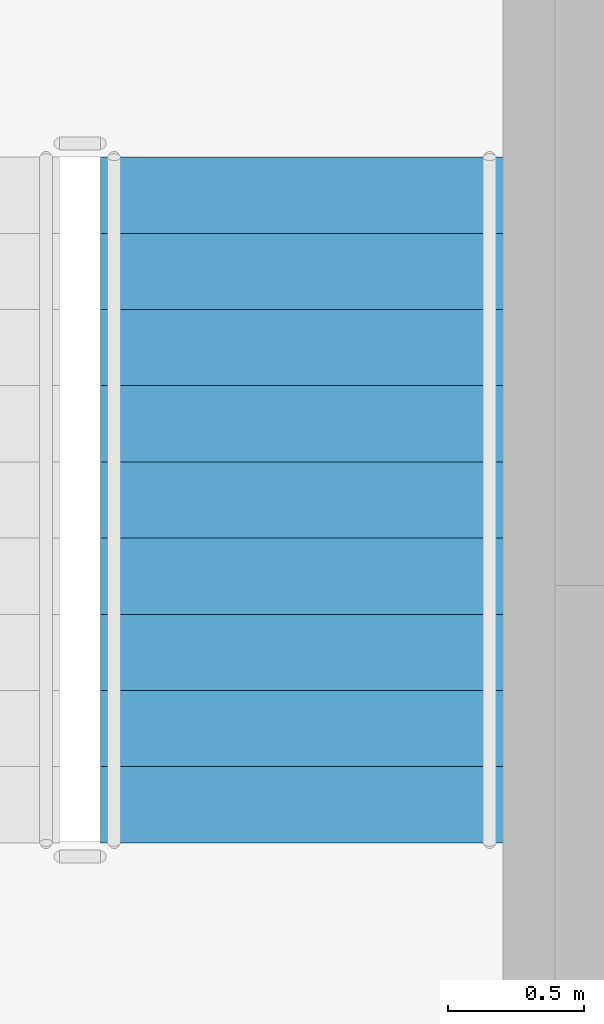
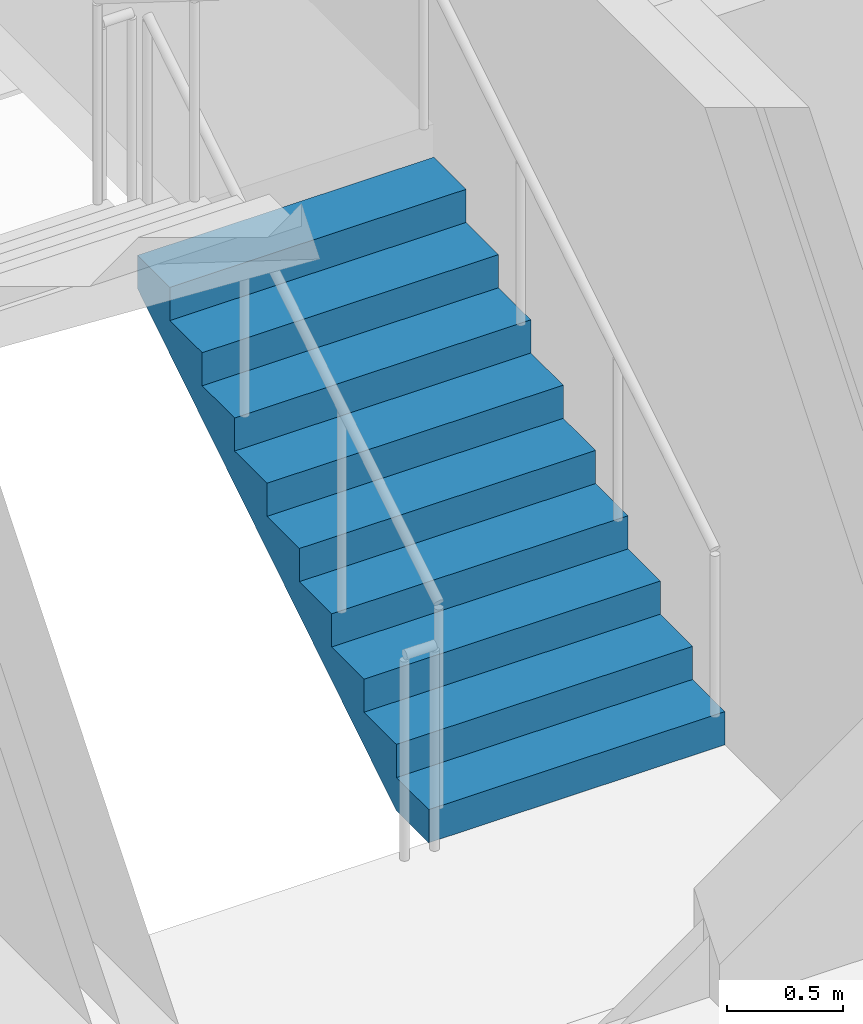
# One storey, part 19 of 21: 1 stair flight, 1 element without a shape of its own.
"""IFC4 building model written with IfcOpenShell, lengths in metres."""

import ifcopenshell
import ifcopenshell.guid

model = None  # the IFC model being written
_history = None  # IfcOwnerHistory: only IFC2X3 demands one
_inside = {}  # id of a spatial element -> (the spatial element, [elements in it])
_under = {}  # id of a project, library or spatial element -> (it, [spatial elements below it])
_declared = {}  # id of a project -> (the project, [libraries it declares])
_typed = {}  # id of a type object -> (the type object, [elements of that type])
_made_of = {}  # id of a material, layer set ... -> (it, [elements and type objects made of it])


def new_model(schema):
    """Start an empty IFC model of exactly this schema.

    Asked for "IFC4X3", IfcOpenShell would pick the latest addendum, in which some entities
    have other attributes; the version numbers below select the first issue.
    IFC2X3 requires an IfcOwnerHistory on every rooted entity: one is made here for all.
    """
    global model, _history
    if schema == "IFC4X3":
        model = ifcopenshell.file(schema_version=(4, 3, 0, 0))
    else:
        model = ifcopenshell.file(schema=schema)
    _inside.clear()
    _under.clear()
    _declared.clear()
    _typed.clear()
    _made_of.clear()
    _history = None
    if model.schema == "IFC2X3":
        org = make("IfcOrganization", Name="unknown")
        user = make(
            "IfcPersonAndOrganization",
            ThePerson=make("IfcPerson", FamilyName="unknown"),
            TheOrganization=org,
        )
        app = make(
            "IfcApplication",
            ApplicationDeveloper=org,
            Version="unknown",
            ApplicationFullName="unknown",
            ApplicationIdentifier="unknown",
        )
        _history = make(
            "IfcOwnerHistory",
            OwningUser=user,
            OwningApplication=app,
            ChangeAction="ADDED",
            CreationDate=0,
        )
    return model


def make(cls, **values):
    """One entity of the class cls with the attributes given. An attribute that is None is left unset."""
    return model.create_entity(
        cls, **{name: value for name, value in values.items() if value is not None}
    )


def rooted(cls, **values):
    """An entity with a GlobalId (a new one), such as an element, a storey or a relation."""
    return make(cls, GlobalId=ifcopenshell.guid.new(), OwnerHistory=_history, **values)


def si_unit(unit_type, name, prefix=None):
    """IfcSIUnit, for example si_unit("LENGTHUNIT", "METRE", prefix="MILLI")."""
    return make("IfcSIUnit", UnitType=unit_type, Prefix=prefix, Name=name)


def assignment(units):
    """IfcUnitAssignment: the units of a project."""
    return None if units is None else make("IfcUnitAssignment", Units=units)


def point(xyz):
    """IfcCartesianPoint."""
    return None if xyz is None else make("IfcCartesianPoint", Coordinates=xyz)


def direction(xyz):
    """IfcDirection."""
    return None if xyz is None else make("IfcDirection", DirectionRatios=xyz)


def frame(location, z_axis=None, x_axis=None):
    """IfcAxis2Placement3D, a coordinate frame: its origin and axes. An axis left out is left unset."""
    return make(
        "IfcAxis2Placement3D",
        Location=point(location),
        Axis=direction(z_axis),
        RefDirection=direction(x_axis),
    )


def origin():
    """The frame at (0, 0, 0) with its axes left unset."""
    return frame((0.0, 0.0, 0.0))


def place(relative_to, where):
    """IfcLocalPlacement: puts the frame where relative to a parent placement (None: the world)."""
    return make(
        "IfcLocalPlacement", PlacementRelTo=relative_to, RelativePlacement=where
    )


def context(
    kind, dimensions, precision=None, world=None, true_north=None, identifier=None
):
    """IfcGeometricRepresentationContext, for example the 3D "Model" context."""
    return make(
        "IfcGeometricRepresentationContext",
        ContextIdentifier=identifier,
        ContextType=kind,
        CoordinateSpaceDimension=dimensions,
        Precision=precision,
        WorldCoordinateSystem=world,
        TrueNorth=true_north,
    )


def subcontext(parent, identifier, kind, view, scale=None):
    """IfcGeometricRepresentationSubContext, for example "Body" below "Model"."""
    return make(
        "IfcGeometricRepresentationSubContext",
        ContextIdentifier=identifier,
        ContextType=kind,
        ParentContext=parent,
        TargetScale=scale,
        TargetView=view,
    )


def project(units=None, contexts=None):
    """IfcProject with its units and contexts."""
    return rooted(
        "IfcProject",
        Name="project",
        RepresentationContexts=contexts,
        UnitsInContext=assignment(units),
    )


def spatial(cls, under=None, at=None, **own):
    """A site, building, storey or space (cls), placed at a placement, below another one or the project."""
    s = rooted(cls, ObjectPlacement=at, **own)
    if under is not None:
        _under.setdefault(under.id(), (under, []))[1].append(s)
    return s


def polyline(points):
    """IfcPolyline through the points."""
    return make("IfcPolyline", Points=[point(p) for p in points])


def outline(outer, holes=None, kind="AREA"):
    """IfcArbitraryClosedProfileDef: a profile drawn as a closed curve; with holes, ...WithVoids."""
    if holes is None:
        return make("IfcArbitraryClosedProfileDef", ProfileType=kind, OuterCurve=outer)
    return make(
        "IfcArbitraryProfileDefWithVoids",
        ProfileType=kind,
        OuterCurve=outer,
        InnerCurves=holes,
    )


def extrude(swept, where, along, depth):
    """IfcExtrudedAreaSolid: the profile swept, set in the frame where, extruded along a direction by depth."""
    return make(
        "IfcExtrudedAreaSolid",
        SweptArea=swept,
        Position=where,
        ExtrudedDirection=direction(along),
        Depth=depth,
    )


def shape(context_of_items, identifier, shape_type, items):
    """IfcShapeRepresentation: the items that make up one representation, for example the "Body"."""
    return make(
        "IfcShapeRepresentation",
        ContextOfItems=context_of_items,
        RepresentationIdentifier=identifier,
        RepresentationType=shape_type,
        Items=items,
    )


def material(Name=None, Category=None):
    """IfcMaterial."""
    return make("IfcMaterial", Name=Name, Category=Category)


def made_of(thing, what):
    """Note that an element or type object is made of a material, layer set ...; save() writes the relation."""
    if what is not None:
        _made_of.setdefault(what.id(), (what, []))[1].append(thing)
    return thing


def type_object(cls, material=None, **own):
    """A type object (cls), such as IfcWallType, which elements share."""
    return made_of(rooted(cls, **own), material)


def element(
    cls,
    number,
    at=None,
    inside=None,
    cuts=None,
    type_object=None,
    material=None,
    context=None,
    identifier="Body",
    shape_type=None,
    held_by="IfcProductDefinitionShape",
    body=None,
    shapes=None,
    **own,
):
    """One element of the class cls, such as IfcWall. Its Tag is "e" and its number.

    at: its placement. inside: the storey or other place that contains it. cuts: it is an
    opening in that element (IfcRelVoidsElement). A single representation is given by context,
    identifier, shape_type and body (its items); several are given by shapes. held_by: the class
    of the entity that holds the representations. save() writes the other relations.
    """
    e = rooted(cls, Tag="e%d" % number, ObjectPlacement=at, **own)
    if body is not None:
        shapes = [shape(context, identifier, shape_type, body)]
    if shapes is not None:
        e.Representation = make(held_by, Representations=shapes)
    if inside is not None:
        _inside.setdefault(inside.id(), (inside, []))[1].append(e)
    if cuts is not None:
        rooted(
            "IfcRelVoidsElement", RelatingBuildingElement=cuts, RelatedOpeningElement=e
        )
    if type_object is not None:
        _typed.setdefault(type_object.id(), (type_object, []))[1].append(e)
    return made_of(e, material)


def aggregate(whole, parts):
    """IfcRelAggregates: a whole, such as a stair, and the parts it consists of."""
    return rooted("IfcRelAggregates", RelatingObject=whole, RelatedObjects=parts)


def save(model, path):
    """Write the relations noted so far, then the file.

    IfcRelAggregates (storeys below a building ...), IfcRelContainedInSpatialStructure (elements
    in a storey), IfcRelDefinesByType, IfcRelAssociatesMaterial and IfcRelDeclares: one each for
    every whole, place, type object, material and project.
    """
    for whole, parts in _under.values():
        aggregate(whole, parts)
    for where, things in _inside.values():
        rooted(
            "IfcRelContainedInSpatialStructure",
            RelatedElements=things,
            RelatingStructure=where,
        )
    for kind, things in _typed.values():
        rooted("IfcRelDefinesByType", RelatedObjects=things, RelatingType=kind)
    for what, things in _made_of.values():
        rooted("IfcRelAssociatesMaterial", RelatedObjects=things, RelatingMaterial=what)
    for by, libraries in _declared.values():
        rooted("IfcRelDeclares", RelatingContext=by, RelatedDefinitions=libraries)
    model.write(path)


model = new_model("IFC4")

# Units and contexts
model_context = context("Model", 3, precision=1e-05, world=origin(), true_north=direction((0.0, 1.0)))
body_context = subcontext(model_context, "Body", "Model", "MODEL_VIEW")
ifc_project = project(units=[si_unit("LENGTHUNIT", "METRE"), si_unit("AREAUNIT", "SQUARE_METRE"), si_unit("VOLUMEUNIT", "CUBIC_METRE"), si_unit("PLANEANGLEUNIT", "RADIAN"), si_unit("MASSUNIT", "GRAM", prefix="KILO")], contexts=[model_context])

# Site, building, storey
site_placement = place(None, origin())
site = spatial("IfcSite", under=ifc_project, at=site_placement, CompositionType="ELEMENT")
building_placement = place(site_placement, origin())
building = spatial("IfcBuilding", under=site, at=building_placement, Name="Valdorenza Pilgrim Sanctuary Tower", CompositionType="ELEMENT")
storey_placement = place(building_placement, frame((0.0, 0.0, 251.0)))
storey = spatial("IfcBuildingStorey", under=building, at=storey_placement, Name="L65", CompositionType="ELEMENT", Elevation=251.0)

# Stair, stair flight
ifc_material = material(Name="Concrete C40/50", Category="concrete")
stair_type = type_object("IfcStairType", Name="STR-DOG-CORE", PredefinedType="HALF_TURN_STAIR", material=ifc_material)
stair_placement = place(storey_placement, origin())
stair = element("IfcStair", 1, at=stair_placement, inside=storey, type_object=stair_type, Name="L65 ST-A1", PredefinedType="HALF_TURN_STAIR")
stair_flight_type = type_object("IfcStairFlightType", Name="STF-RC-1400", PredefinedType="STRAIGHT", material=ifc_material)
stair_flight_placement = place(storey_placement, frame((-19.679931640625, 3.47998046875, 0.0), z_axis=(0.0, 0.0, 1.0), x_axis=(0.0, 1.0, 0.0)))
stair_flight = element("IfcStairFlight", 2, at=stair_flight_placement, type_object=stair_flight_type, Name="ST-A1 flight 1", NumberOfRisers=10, NumberOfTreads=9, PredefinedType="STRAIGHT", RiserHeight=0.175, TreadLength=0.28, context=body_context, shape_type="SweptSolid", body=[
    extrude(outline(polyline([(0.0, 0.0), (0.0, 0.175048828125), (0.280029296875, 0.175048828125), (0.280029296875, 0.35009765625), (0.56005859375, 0.35009765625), (0.56005859375, 0.52490234375), (0.840087890625, 0.52490234375), (0.840087890625, 0.699951171875), (1.1201171875, 0.699951171875), (1.1201171875, 0.875), (1.39990234375, 0.875), (1.39990234375, 1.050048828125), (1.679931640625, 1.050048828125), (1.679931640625, 1.22509765625), (1.9599609375, 1.22509765625), (1.9599609375, 1.39990234375), (2.239990234375, 1.39990234375), (2.239990234375, 1.574951171875), (2.52001953125, 1.574951171875), (2.52001953125, 1.75), (2.52001953125, 1.398193359375), (0.28271484375, 0.0), (0.0, 0.0)])), frame((0.0, 0.739990234375, 0.0), z_axis=(0.0, -1.0, 0.0), x_axis=(1.0, 0.0, 0.0)), (0.0, 0.0, 1.0), 1.47998046875),
])
aggregate(stair, [stair_flight])

save(model, "model.ifc")
